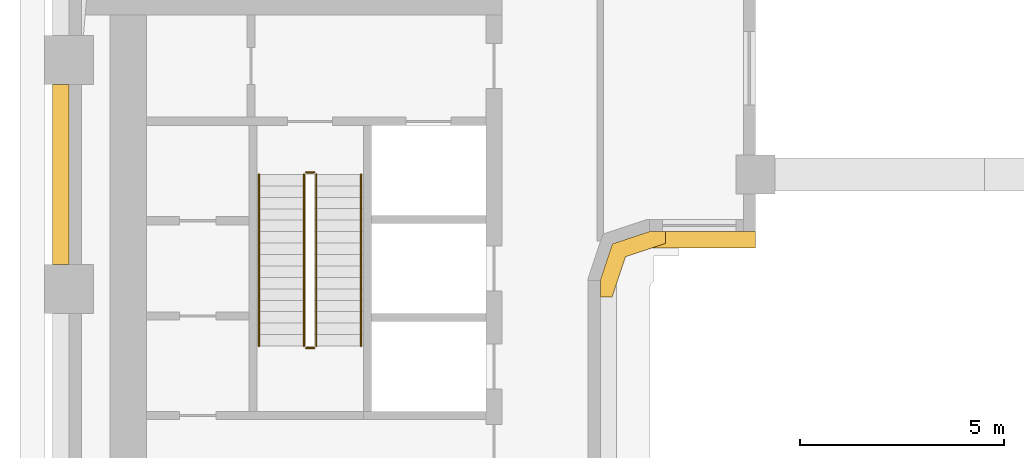
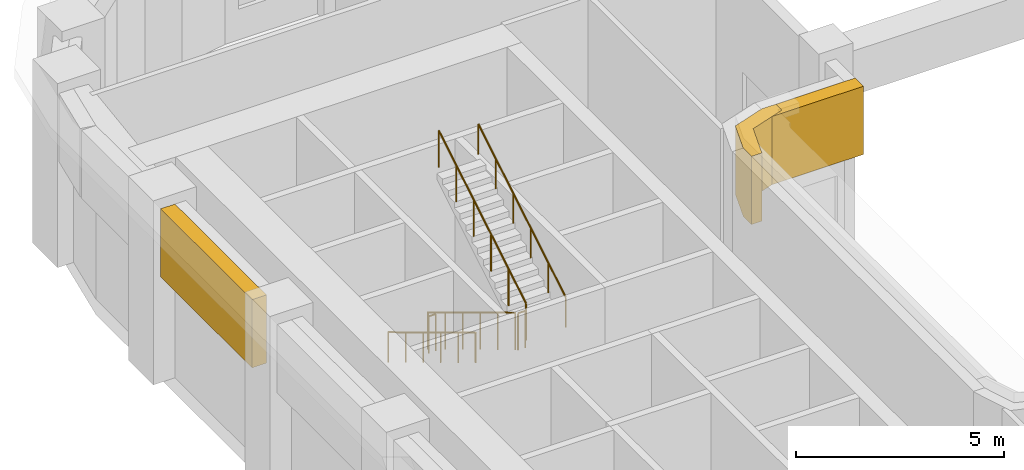
# One storey, part 10 of 14: 6 railings, 3 coverings.
"""IFC4 building model written with IfcOpenShell, lengths in metres."""

from ifc_helpers import new_model, si_unit, direction, frame, origin, origin_2d, place, context, subcontext, project, spatial, polyline, rectangle, circle, outline, extrude, material, type_object, element, save


model = new_model("IFC4")

# Units and contexts
model_context = context("Model", 3, precision=1e-05, world=origin(), true_north=direction((0.0, 1.0)))
body_context = subcontext(model_context, "Body", "Model", "MODEL_VIEW")
ifc_project = project(units=[si_unit("LENGTHUNIT", "METRE"), si_unit("AREAUNIT", "SQUARE_METRE"), si_unit("VOLUMEUNIT", "CUBIC_METRE"), si_unit("PLANEANGLEUNIT", "RADIAN"), si_unit("MASSUNIT", "GRAM", prefix="KILO")], contexts=[model_context])

# Site, building, storey
site_placement = place(None, origin())
site = spatial("IfcSite", under=ifc_project, at=site_placement, CompositionType="ELEMENT")
building_placement = place(site_placement, origin())
building = spatial("IfcBuilding", under=site, at=building_placement, Name="Kiln Ring Residences", CompositionType="ELEMENT")
storey_placement = place(building_placement, frame((0.0, 0.0, 130.699951171875)))
storey = spatial("IfcBuildingStorey", under=building, at=storey_placement, Name="L33", CompositionType="ELEMENT", Elevation=130.699951171875)

# Railings
ifc_material_1 = material(Name="Stainless steel", Category="steel")
railing_type_1 = type_object("IfcRailingType", Name="CORE-STAIR-GUARD", PredefinedType="GUARDRAIL", material=ifc_material_1)
railing_1_placement = place(storey_placement, frame((-22.25, 8.39990234375, 0.168701171875)))
element("IfcRailing", 1, at=railing_1_placement, inside=storey, type_object=railing_type_1, Name="L33 W-STN stair guard 1", PredefinedType="GUARDRAIL", context=body_context, shape_type="SweptSolid", body=[
    extrude(circle(Radius=0.02392578125, at=origin_2d()), frame((0.0, 0.0, 1.076171875), z_axis=(0.0, -0.856476492594, 0.516186030065), x_axis=(1.0, 0.0, 0.0)), (0.0, 0.0, 1.0), 4.90380859375),
    extrude(circle(Radius=0.02099609375, at=origin_2d()), origin(), (0.0, 0.0, 1.0), 1.052001953125),
    extrude(circle(Radius=0.02099609375, at=origin_2d()), frame((0.0, -0.840087890625, 0.50634765625)), (0.0, 0.0, 1.0), 1.052001953125),
    extrude(circle(Radius=0.02099609375, at=origin_2d()), frame((0.0, -1.679931640625, 1.012451171875)), (0.0, 0.0, 1.0), 1.052001953125),
    extrude(circle(Radius=0.02099609375, at=origin_2d()), frame((0.0, -2.52001953125, 1.518798828125)), (0.0, 0.0, 1.0), 1.052001953125),
    extrude(circle(Radius=0.02099609375, at=origin_2d()), frame((0.0, -3.35986328125, 2.02490234375)), (0.0, 0.0, 1.0), 1.052001953125),
    extrude(circle(Radius=0.02099609375, at=origin_2d()), frame((0.0, -4.199951171875, 2.53125)), (0.0, 0.0, 1.0), 1.052001953125),
])
railing_2_placement = place(storey_placement, frame((-22.199951171875, 4.14990234375, 2.699951171875)))
element("IfcRailing", 2, at=railing_2_placement, inside=storey, type_object=railing_type_1, Name="L33 W-STN stair guard 2", PredefinedType="GUARDRAIL", context=body_context, shape_type="SweptSolid", body=[
    extrude(circle(Radius=0.02392578125, at=origin_2d()), frame((0.0, 0.0, 1.076171875), z_axis=(1.0, 0.0, 0.0), x_axis=(0.0, 1.0, 0.0)), (0.0, 0.0, 1.0), 0.199951171875),
    extrude(circle(Radius=0.02099609375, at=origin_2d()), origin(), (0.0, 0.0, 1.0), 1.052001953125),
    extrude(circle(Radius=0.02099609375, at=origin_2d()), frame((0.199951171875, 0.0, 0.0)), (0.0, 0.0, 1.0), 1.052001953125),
])
railing_3_placement = place(storey_placement, frame((-21.949951171875, 4.199951171875, 2.868896484375)))
element("IfcRailing", 3, at=railing_3_placement, inside=storey, type_object=railing_type_1, Name="L33 W-STN stair guard 3", PredefinedType="GUARDRAIL", context=body_context, shape_type="SweptSolid", body=[
    extrude(circle(Radius=0.02392578125, at=origin_2d()), frame((0.0, 0.0, 1.076171875), z_axis=(0.0, 0.856476492594, 0.516186030065), x_axis=(-1.0, 0.0, 0.0)), (0.0, 0.0, 1.0), 4.90380859375),
    extrude(circle(Radius=0.02099609375, at=origin_2d()), origin(), (0.0, 0.0, 1.0), 1.052001953125),
    extrude(circle(Radius=0.02099609375, at=origin_2d()), frame((0.0, 0.840087890625, 0.50634765625)), (0.0, 0.0, 1.0), 1.052001953125),
    extrude(circle(Radius=0.02099609375, at=origin_2d()), frame((0.0, 1.679931640625, 1.012451171875)), (0.0, 0.0, 1.0), 1.052001953125),
    extrude(circle(Radius=0.02099609375, at=origin_2d()), frame((0.0, 2.52001953125, 1.518798828125)), (0.0, 0.0, 1.0), 1.052001953125),
    extrude(circle(Radius=0.02099609375, at=origin_2d()), frame((0.0, 3.35986328125, 2.02490234375)), (0.0, 0.0, 1.0), 1.052001953125),
    extrude(circle(Radius=0.02099609375, at=origin_2d()), frame((0.0, 4.199951171875, 2.53125)), (0.0, 0.0, 1.0), 1.052001953125),
])
railing_4_placement = place(storey_placement, frame((-22.199951171875, 8.449951171875, 0.0)))
element("IfcRailing", 4, at=railing_4_placement, inside=storey, type_object=railing_type_1, Name="L33 W-STN stair guard 4", PredefinedType="GUARDRAIL", context=body_context, shape_type="SweptSolid", body=[
    extrude(circle(Radius=0.02392578125, at=origin_2d()), frame((0.0, 0.0, 1.076171875), z_axis=(1.0, 0.0, 0.0), x_axis=(0.0, 1.0, 0.0)), (0.0, 0.0, 1.0), 0.199951171875),
    extrude(circle(Radius=0.02099609375, at=origin_2d()), origin(), (0.0, 0.0, 1.0), 1.052001953125),
    extrude(circle(Radius=0.02099609375, at=origin_2d()), frame((0.199951171875, 0.0, 0.0)), (0.0, 0.0, 1.0), 1.052001953125),
])
ifc_material_2 = material(Name="Stainless steel", Category="steel")
railing_type_2 = type_object("IfcRailingType", Name="CORE-STAIR-HANDRAIL", PredefinedType="HANDRAIL", material=ifc_material_2)
railing_5_placement = place(storey_placement, frame((-23.35009765625, 8.39990234375, 0.168701171875)))
element("IfcRailing", 5, at=railing_5_placement, inside=storey, type_object=railing_type_2, Name="L33 W-STN stair handrail 1", PredefinedType="HANDRAIL", context=body_context, shape_type="SweptSolid", body=[
    extrude(circle(Radius=0.02392578125, at=origin_2d()), frame((0.0, 0.0, 0.8759765625), z_axis=(0.0, -0.856476492594, 0.516186030065), x_axis=(1.0, 0.0, 0.0)), (0.0, 0.0, 1.0), 4.90380859375),
    extrude(circle(Radius=0.02099609375, at=origin_2d()), origin(), (0.0, 0.0, 1.0), 0.851806640625),
    extrude(circle(Radius=0.02099609375, at=origin_2d()), frame((0.0, -0.840087890625, 0.50634765625)), (0.0, 0.0, 1.0), 0.851806640625),
    extrude(circle(Radius=0.02099609375, at=origin_2d()), frame((0.0, -1.679931640625, 1.012451171875)), (0.0, 0.0, 1.0), 0.851806640625),
    extrude(circle(Radius=0.02099609375, at=origin_2d()), frame((0.0, -2.52001953125, 1.518798828125)), (0.0, 0.0, 1.0), 0.851806640625),
    extrude(circle(Radius=0.02099609375, at=origin_2d()), frame((0.0, -3.35986328125, 2.02490234375)), (0.0, 0.0, 1.0), 0.851806640625),
    extrude(circle(Radius=0.02099609375, at=origin_2d()), frame((0.0, -4.199951171875, 2.53125)), (0.0, 0.0, 1.0), 0.851806640625),
])
railing_6_placement = place(storey_placement, frame((-20.85009765625, 4.199951171875, 2.868896484375)))
element("IfcRailing", 6, at=railing_6_placement, inside=storey, type_object=railing_type_2, Name="L33 W-STN stair handrail 2", PredefinedType="HANDRAIL", context=body_context, shape_type="SweptSolid", body=[
    extrude(circle(Radius=0.02392578125, at=origin_2d()), frame((0.0, 0.0, 0.8759765625), z_axis=(0.0, 0.856476492594, 0.516186030065), x_axis=(-1.0, 0.0, 0.0)), (0.0, 0.0, 1.0), 4.90380859375),
    extrude(circle(Radius=0.02099609375, at=origin_2d()), origin(), (0.0, 0.0, 1.0), 0.851806640625),
    extrude(circle(Radius=0.02099609375, at=origin_2d()), frame((0.0, 0.840087890625, 0.50634765625)), (0.0, 0.0, 1.0), 0.851806640625),
    extrude(circle(Radius=0.02099609375, at=origin_2d()), frame((0.0, 1.679931640625, 1.012451171875)), (0.0, 0.0, 1.0), 0.851806640625),
    extrude(circle(Radius=0.02099609375, at=origin_2d()), frame((0.0, 2.52001953125, 1.518798828125)), (0.0, 0.0, 1.0), 0.851806640625),
    extrude(circle(Radius=0.02099609375, at=origin_2d()), frame((0.0, 3.35986328125, 2.02490234375)), (0.0, 0.0, 1.0), 0.851806640625),
    extrude(circle(Radius=0.02099609375, at=origin_2d()), frame((0.0, 4.199951171875, 2.53125)), (0.0, 0.0, 1.0), 0.851806640625),
])

# Coverings
ifc_material_3 = material(Name="Concrete C35/45, exposed aggregate finish", Category="concrete")
covering_type = type_object("IfcCoveringType", Name="TIE BAND 2000 x 400", PredefinedType="CLADDING", material=ifc_material_3)
covering_1_placement = place(storey_placement, frame((-12.5, 6.800048828125, 3.10009765625), z_axis=(0.0, 0.0, 1.0), x_axis=(1.0, 0.0, 0.0)))
element("IfcCovering", 7, at=covering_1_placement, inside=storey, type_object=covering_type, Name="TIE BAND L33", PredefinedType="CLADDING", context=body_context, shape_type="SweptSolid", body=[
    extrude(rectangle(XDim=2.60009765625, YDim=0.39990234375, at=origin_2d()), origin(), (0.0, 0.0, 1.0), 2.0),
])
covering_2_placement = place(storey_placement, frame((-28.199951171875, 8.39990234375, 3.10009765625), z_axis=(0.0, 0.0, 1.0), x_axis=(0.0, -1.0, 0.0)))
element("IfcCovering", 8, at=covering_2_placement, inside=storey, type_object=covering_type, Name="TIE BAND L33", PredefinedType="CLADDING", context=body_context, shape_type="SweptSolid", body=[
    extrude(rectangle(XDim=4.39990234375, YDim=0.39990234375, at=origin_2d()), origin(), (0.0, 0.0, 1.0), 2.0),
])
covering_3_placement = place(storey_placement, frame((0.0, 0.0, 3.10009765625)))
element("IfcCovering", 9, at=covering_3_placement, inside=storey, type_object=covering_type, Name="TIE BAND L33", PredefinedType="CLADDING", context=body_context, shape_type="SweptSolid", body=[
    extrude(outline(polyline([(-15.0, 5.800048828125), (-15.0, 5.39990234375), (-14.711669921875, 5.39990234375), (-14.3837890625, 6.3837890625), (-13.39990234375, 6.711669921875), (-13.39990234375, 7.0), (-13.800048828125, 7.0), (-14.699951171875, 6.699951171875), (-15.0, 5.800048828125)])), origin(), (0.0, 0.0, 1.0), 2.0),
])

save(model, "model.ifc")
